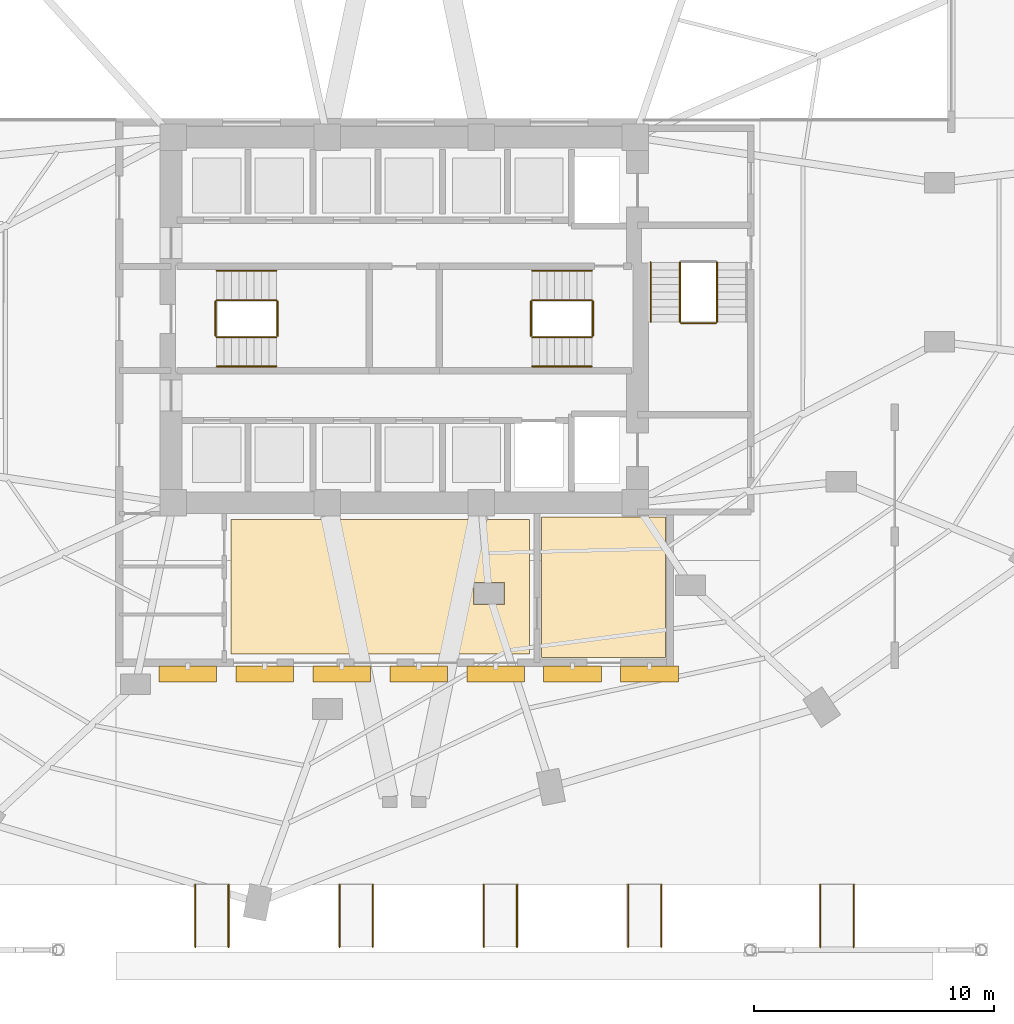
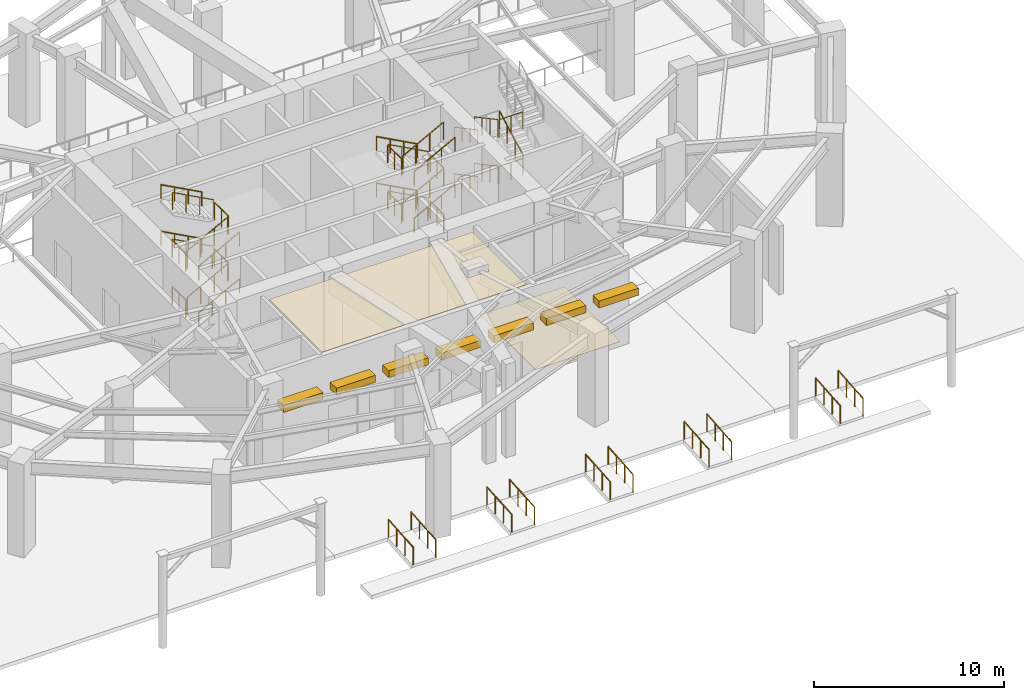
# One storey, part 12 of 14: 41 railings, 7 shading devices, 2 coverings.
"""IFC4 building model written with IfcOpenShell, lengths in metres."""

from ifc_helpers import new_model, si_unit, direction, frame, origin, origin_2d, place, context, subcontext, project, spatial, polyline, rectangle, circle, outline, extrude, material, layer, layer_set, type_object, element, save


model = new_model("IFC4")

# Units and contexts
model_context = context("Model", 3, precision=1e-05, world=origin(), true_north=direction((0.0, 1.0)))
body_context = subcontext(model_context, "Body", "Model", "MODEL_VIEW")
ifc_project = project(units=[si_unit("LENGTHUNIT", "METRE"), si_unit("AREAUNIT", "SQUARE_METRE"), si_unit("VOLUMEUNIT", "CUBIC_METRE"), si_unit("PLANEANGLEUNIT", "RADIAN"), si_unit("MASSUNIT", "GRAM", prefix="KILO")], contexts=[model_context])

# Site, building, storey
site_placement = place(None, origin())
site = spatial("IfcSite", under=ifc_project, at=site_placement, CompositionType="ELEMENT")
building_placement = place(site_placement, origin())
building = spatial("IfcBuilding", under=site, at=building_placement, Name="Lazwardi Medical Tower", CompositionType="ELEMENT")
storey_placement = place(building_placement, origin())
storey = spatial("IfcBuildingStorey", under=building, at=storey_placement, Name="L00", CompositionType="ELEMENT", Elevation=0.0)

# Coverings
ifc_material_1 = material(Name="Acoustic mineral fibre tile")
ifc_layer_1 = layer(ifc_material_1, 0.02490234375)
ifc_layer_set_1 = layer_set([ifc_layer_1], Name="Acoustic mineral fibre tile")
covering_type_1 = type_object("IfcCoveringType", Name="COV-CLG-01", PredefinedType="CEILING", material=ifc_layer_set_1)
covering_1_placement = place(storey_placement, frame((0.0, 0.0, 5.544921875)))
element("IfcCovering", 1, at=covering_1_placement, inside=storey, type_object=covering_type_1, Name="L00 Acoustic Ceiling", PredefinedType="CEILING", context=body_context, shape_type="SweptSolid", body=[
    extrude(outline(polyline([(41.199951171875, 14.10009765625), (41.199951171875, 19.699951171875), (28.800048828125, 19.699951171875), (28.800048828125, 14.10009765625), (41.199951171875, 14.10009765625)]), holes=[polyline([(38.875, 17.074951171875), (40.1650390625, 17.074951171875), (40.1650390625, 16.175048828125), (38.875, 16.175048828125), (38.875, 17.074951171875)])]), origin(), (0.0, 0.0, 1.0), 0.025146484375),
])
ifc_material_2 = material(Name="Anti-static hospital vinyl sheet flooring")
ifc_layer_2 = layer(ifc_material_2, 0.014892578125)
ifc_layer_set_2 = layer_set([ifc_layer_2], Name="Anti-static hospital vinyl sheet flooring")
covering_type_2 = type_object("IfcCoveringType", Name="COV-FLR-01", PredefinedType="FLOORING", material=ifc_layer_set_2)
covering_2_placement = place(storey_placement, origin())
element("IfcCovering", 2, at=covering_2_placement, inside=storey, type_object=covering_type_2, Name="L00 Hospital Vinyl Flooring", PredefinedType="FLOORING", context=body_context, shape_type="SweptSolid", body=[
    extrude(outline(polyline([(46.860107421875, 13.9599609375), (46.860107421875, 19.800048828125), (41.699951171875, 19.800048828125), (41.699951171875, 13.9599609375), (46.860107421875, 13.9599609375)])), origin(), (0.0, 0.0, 1.0), 0.014892578125),
])

# Railings
ifc_material_3 = material(Name="Stainless steel Grade 316", Category="steel")
railing_type_1 = type_object("IfcRailingType", Name="RLG-GRD-1150", PredefinedType="GUARDRAIL", material=ifc_material_3)
for number, where, name in (
    (3, (27.31005859375, 1.919921875, -0.199951171875), "Pedestrian Ramp PR1 Guard 1"),
    (4, (28.68994140625, 1.919921875, -0.199951171875), "Pedestrian Ramp PR1 Guard 2"),
    (5, (33.31005859375, 1.919921875, -0.199951171875), "Pedestrian Ramp PR2 Guard 1"),
    (6, (34.68994140625, 1.919921875, -0.199951171875), "Pedestrian Ramp PR2 Guard 2"),
    (7, (39.31005859375, 1.919921875, -0.199951171875), "Pedestrian Ramp PR3 Guard 1"),
    (8, (40.68994140625, 1.919921875, -0.199951171875), "Pedestrian Ramp PR3 Guard 2"),
    (9, (45.31005859375, 1.919921875, -0.199951171875), "Pedestrian Ramp PR4 Guard 1"),
    (10, (46.68994140625, 1.919921875, -0.199951171875), "Pedestrian Ramp PR4 Guard 2"),
    (11, (53.31005859375, 1.919921875, -0.199951171875), "Pedestrian Ramp PR5 Guard 1"),
    (12, (54.68994140625, 1.919921875, -0.199951171875), "Pedestrian Ramp PR5 Guard 2"),
):
    element("IfcRailing", number, at=place(storey_placement, frame(where)), inside=storey, type_object=railing_type_1, Name=name, PredefinedType="GUARDRAIL", context=body_context, shape_type="SweptSolid", body=[
        extrude(circle(Radius=0.02392578125, at=origin_2d()), frame((0.0, 0.0, 1.1259765625), z_axis=(0.0, 0.997056137393, 0.07667502127), x_axis=(-1.0, 0.0, 0.0)), (0.0, 0.0, 1.0), 2.607666015625),
        extrude(circle(Radius=0.02099609375, at=origin_2d()), origin(), (0.0, 0.0, 1.0), 1.099853515625),
        extrude(circle(Radius=0.02099609375, at=origin_2d()), frame((0.0, 0.86669921875, 0.066650390625)), (0.0, 0.0, 1.0), 1.099853515625),
        extrude(circle(Radius=0.02099609375, at=origin_2d()), frame((0.0, 1.7333984375, 0.13330078125)), (0.0, 0.0, 1.0), 1.099853515625),
        extrude(circle(Radius=0.02099609375, at=origin_2d()), frame((0.0, 2.60009765625, 0.199951171875)), (0.0, 0.0, 1.0), 1.099853515625),
    ])
railing_1_placement = place(storey_placement, frame((28.199951171875, 27.2900390625, 0.166748046875)))
element("IfcRailing", 13, at=railing_1_placement, inside=storey, type_object=railing_type_1, Name="L00 ST1 stair guard 1", PredefinedType="GUARDRAIL", context=body_context, shape_type="SweptSolid", body=[
    extrude(circle(Radius=0.02392578125, at=origin_2d()), frame((0.0, 0.0, 1.1259765625), z_axis=(0.880785522881, 0.0, 0.473515430248), x_axis=(0.0, 1.0, 0.0)), (0.0, 0.0, 1.0), 2.815673828125),
    extrude(circle(Radius=0.02099609375, at=origin_2d()), origin(), (0.0, 0.0, 1.0), 1.099853515625),
    extrude(circle(Radius=0.02099609375, at=origin_2d()), frame((0.82666015625, 0.0, 0.4443359375)), (0.0, 0.0, 1.0), 1.099853515625),
    extrude(circle(Radius=0.02099609375, at=origin_2d()), frame((1.6533203125, 0.0, 0.888916015625)), (0.0, 0.0, 1.0), 1.099853515625),
    extrude(circle(Radius=0.02099609375, at=origin_2d()), frame((2.47998046875, 0.0, 1.333251953125)), (0.0, 0.0, 1.0), 1.099853515625),
])
railing_2_placement = place(storey_placement, frame((30.72998046875, 27.340087890625, 1.5)))
element("IfcRailing", 14, at=railing_2_placement, inside=storey, type_object=railing_type_1, Name="L00 ST1 stair guard 2", PredefinedType="GUARDRAIL", context=body_context, shape_type="SweptSolid", body=[
    extrude(circle(Radius=0.02392578125, at=origin_2d()), frame((0.0, 0.0, 1.1259765625), z_axis=(0.0, 1.0, 0.0), x_axis=(-1.0, 0.0, 0.0)), (0.0, 0.0, 1.0), 1.43994140625),
    extrude(circle(Radius=0.02099609375, at=origin_2d()), origin(), (0.0, 0.0, 1.0), 1.099853515625),
    extrude(circle(Radius=0.02099609375, at=origin_2d()), frame((0.0, 0.719970703125, 0.0)), (0.0, 0.0, 1.0), 1.099853515625),
    extrude(circle(Radius=0.02099609375, at=origin_2d()), frame((0.0, 1.43994140625, 0.0)), (0.0, 0.0, 1.0), 1.099853515625),
])
railing_3_placement = place(storey_placement, frame((30.679931640625, 28.830078125, 1.666748046875)))
element("IfcRailing", 15, at=railing_3_placement, inside=storey, type_object=railing_type_1, Name="L00 ST1 stair guard 3", PredefinedType="GUARDRAIL", context=body_context, shape_type="SweptSolid", body=[
    extrude(circle(Radius=0.02392578125, at=origin_2d()), frame((0.0, 0.0, 1.1259765625), z_axis=(-0.880785522881, 0.0, 0.473515430248), x_axis=(0.0, -1.0, 0.0)), (0.0, 0.0, 1.0), 2.815673828125),
    extrude(circle(Radius=0.02099609375, at=origin_2d()), origin(), (0.0, 0.0, 1.0), 1.099853515625),
    extrude(circle(Radius=0.02099609375, at=origin_2d()), frame((-0.82666015625, 0.0, 0.4443359375)), (0.0, 0.0, 1.0), 1.099853515625),
    extrude(circle(Radius=0.02099609375, at=origin_2d()), frame((-1.6533203125, 0.0, 0.888916015625)), (0.0, 0.0, 1.0), 1.099853515625),
    extrude(circle(Radius=0.02099609375, at=origin_2d()), frame((-2.47998046875, 0.0, 1.333251953125)), (0.0, 0.0, 1.0), 1.099853515625),
])
railing_4_placement = place(storey_placement, frame((28.14990234375, 27.340087890625, 3.0)))
element("IfcRailing", 16, at=railing_4_placement, inside=storey, type_object=railing_type_1, Name="L00 ST1 stair guard 4", PredefinedType="GUARDRAIL", context=body_context, shape_type="SweptSolid", body=[
    extrude(circle(Radius=0.02392578125, at=origin_2d()), frame((0.0, 0.0, 1.1259765625), z_axis=(0.0, 1.0, 0.0), x_axis=(-1.0, 0.0, 0.0)), (0.0, 0.0, 1.0), 1.43994140625),
    extrude(circle(Radius=0.02099609375, at=origin_2d()), origin(), (0.0, 0.0, 1.0), 1.099853515625),
    extrude(circle(Radius=0.02099609375, at=origin_2d()), frame((0.0, 0.719970703125, 0.0)), (0.0, 0.0, 1.0), 1.099853515625),
    extrude(circle(Radius=0.02099609375, at=origin_2d()), frame((0.0, 1.43994140625, 0.0)), (0.0, 0.0, 1.0), 1.099853515625),
])
railing_5_placement = place(storey_placement, frame((28.199951171875, 27.2900390625, 3.166748046875)))
element("IfcRailing", 17, at=railing_5_placement, inside=storey, type_object=railing_type_1, Name="L00 ST1 stair guard 5", PredefinedType="GUARDRAIL", context=body_context, shape_type="SweptSolid", body=[
    extrude(circle(Radius=0.02392578125, at=origin_2d()), frame((0.0, 0.0, 1.1259765625), z_axis=(0.880785522881, 0.0, 0.473515430248), x_axis=(0.0, 1.0, 0.0)), (0.0, 0.0, 1.0), 2.815673828125),
    extrude(circle(Radius=0.02099609375, at=origin_2d()), origin(), (0.0, 0.0, 1.0), 1.099853515625),
    extrude(circle(Radius=0.02099609375, at=origin_2d()), frame((0.82666015625, 0.0, 0.4443359375)), (0.0, 0.0, 1.0), 1.099853515625),
    extrude(circle(Radius=0.02099609375, at=origin_2d()), frame((1.6533203125, 0.0, 0.888916015625)), (0.0, 0.0, 1.0), 1.099853515625),
    extrude(circle(Radius=0.02099609375, at=origin_2d()), frame((2.47998046875, 0.0, 1.333251953125)), (0.0, 0.0, 1.0), 1.099853515625),
])
railing_6_placement = place(storey_placement, frame((30.72998046875, 27.340087890625, 4.5)))
element("IfcRailing", 18, at=railing_6_placement, inside=storey, type_object=railing_type_1, Name="L00 ST1 stair guard 6", PredefinedType="GUARDRAIL", context=body_context, shape_type="SweptSolid", body=[
    extrude(circle(Radius=0.02392578125, at=origin_2d()), frame((0.0, 0.0, 1.1259765625), z_axis=(0.0, 1.0, 0.0), x_axis=(-1.0, 0.0, 0.0)), (0.0, 0.0, 1.0), 1.43994140625),
    extrude(circle(Radius=0.02099609375, at=origin_2d()), origin(), (0.0, 0.0, 1.0), 1.099853515625),
    extrude(circle(Radius=0.02099609375, at=origin_2d()), frame((0.0, 0.719970703125, 0.0)), (0.0, 0.0, 1.0), 1.099853515625),
    extrude(circle(Radius=0.02099609375, at=origin_2d()), frame((0.0, 1.43994140625, 0.0)), (0.0, 0.0, 1.0), 1.099853515625),
])
railing_7_placement = place(storey_placement, frame((30.679931640625, 28.830078125, 4.666748046875)))
element("IfcRailing", 19, at=railing_7_placement, inside=storey, type_object=railing_type_1, Name="L00 ST1 stair guard 7", PredefinedType="GUARDRAIL", context=body_context, shape_type="SweptSolid", body=[
    extrude(circle(Radius=0.02392578125, at=origin_2d()), frame((0.0, 0.0, 1.1259765625), z_axis=(-0.880785522881, 0.0, 0.473515430248), x_axis=(0.0, -1.0, 0.0)), (0.0, 0.0, 1.0), 2.815673828125),
    extrude(circle(Radius=0.02099609375, at=origin_2d()), origin(), (0.0, 0.0, 1.0), 1.099853515625),
    extrude(circle(Radius=0.02099609375, at=origin_2d()), frame((-0.82666015625, 0.0, 0.4443359375)), (0.0, 0.0, 1.0), 1.099853515625),
    extrude(circle(Radius=0.02099609375, at=origin_2d()), frame((-1.6533203125, 0.0, 0.888916015625)), (0.0, 0.0, 1.0), 1.099853515625),
    extrude(circle(Radius=0.02099609375, at=origin_2d()), frame((-2.47998046875, 0.0, 1.333251953125)), (0.0, 0.0, 1.0), 1.099853515625),
])
railing_8_placement = place(storey_placement, frame((28.14990234375, 27.340087890625, 0.0)))
element("IfcRailing", 20, at=railing_8_placement, inside=storey, type_object=railing_type_1, Name="L00 ST1 stair guard 8", PredefinedType="GUARDRAIL", context=body_context, shape_type="SweptSolid", body=[
    extrude(circle(Radius=0.02392578125, at=origin_2d()), frame((0.0, 0.0, 1.1259765625), z_axis=(0.0, 1.0, 0.0), x_axis=(-1.0, 0.0, 0.0)), (0.0, 0.0, 1.0), 1.43994140625),
    extrude(circle(Radius=0.02099609375, at=origin_2d()), origin(), (0.0, 0.0, 1.0), 1.099853515625),
    extrude(circle(Radius=0.02099609375, at=origin_2d()), frame((0.0, 0.719970703125, 0.0)), (0.0, 0.0, 1.0), 1.099853515625),
    extrude(circle(Radius=0.02099609375, at=origin_2d()), frame((0.0, 1.43994140625, 0.0)), (0.0, 0.0, 1.0), 1.099853515625),
])
railing_9_placement = place(storey_placement, frame((43.800048828125, 28.830078125, 0.166748046875)))
element("IfcRailing", 21, at=railing_9_placement, inside=storey, type_object=railing_type_1, Name="L00 ST2 stair guard 1", PredefinedType="GUARDRAIL", context=body_context, shape_type="SweptSolid", body=[
    extrude(circle(Radius=0.02392578125, at=origin_2d()), frame((0.0, 0.0, 1.1259765625), z_axis=(-0.880785522881, 0.0, 0.473515430248), x_axis=(0.0, -1.0, 0.0)), (0.0, 0.0, 1.0), 2.815673828125),
    extrude(circle(Radius=0.02099609375, at=origin_2d()), origin(), (0.0, 0.0, 1.0), 1.099853515625),
    extrude(circle(Radius=0.02099609375, at=origin_2d()), frame((-0.82666015625, 0.0, 0.4443359375)), (0.0, 0.0, 1.0), 1.099853515625),
    extrude(circle(Radius=0.02099609375, at=origin_2d()), frame((-1.6533203125, 0.0, 0.888916015625)), (0.0, 0.0, 1.0), 1.099853515625),
    extrude(circle(Radius=0.02099609375, at=origin_2d()), frame((-2.47998046875, 0.0, 1.333251953125)), (0.0, 0.0, 1.0), 1.099853515625),
])
railing_10_placement = place(storey_placement, frame((41.27001953125, 28.780029296875, 1.5)))
element("IfcRailing", 22, at=railing_10_placement, inside=storey, type_object=railing_type_1, Name="L00 ST2 stair guard 2", PredefinedType="GUARDRAIL", context=body_context, shape_type="SweptSolid", body=[
    extrude(circle(Radius=0.02392578125, at=origin_2d()), frame((0.0, 0.0, 1.1259765625), z_axis=(0.0, -1.0, 0.0), x_axis=(1.0, 0.0, 0.0)), (0.0, 0.0, 1.0), 1.43994140625),
    extrude(circle(Radius=0.02099609375, at=origin_2d()), origin(), (0.0, 0.0, 1.0), 1.099853515625),
    extrude(circle(Radius=0.02099609375, at=origin_2d()), frame((0.0, -0.719970703125, 0.0)), (0.0, 0.0, 1.0), 1.099853515625),
    extrude(circle(Radius=0.02099609375, at=origin_2d()), frame((0.0, -1.43994140625, 0.0)), (0.0, 0.0, 1.0), 1.099853515625),
])
railing_11_placement = place(storey_placement, frame((41.320068359375, 27.2900390625, 1.666748046875)))
element("IfcRailing", 23, at=railing_11_placement, inside=storey, type_object=railing_type_1, Name="L00 ST2 stair guard 3", PredefinedType="GUARDRAIL", context=body_context, shape_type="SweptSolid", body=[
    extrude(circle(Radius=0.02392578125, at=origin_2d()), frame((0.0, 0.0, 1.1259765625), z_axis=(0.880785522881, 0.0, 0.473515430248), x_axis=(0.0, 1.0, 0.0)), (0.0, 0.0, 1.0), 2.815673828125),
    extrude(circle(Radius=0.02099609375, at=origin_2d()), origin(), (0.0, 0.0, 1.0), 1.099853515625),
    extrude(circle(Radius=0.02099609375, at=origin_2d()), frame((0.82666015625, 0.0, 0.4443359375)), (0.0, 0.0, 1.0), 1.099853515625),
    extrude(circle(Radius=0.02099609375, at=origin_2d()), frame((1.6533203125, 0.0, 0.888916015625)), (0.0, 0.0, 1.0), 1.099853515625),
    extrude(circle(Radius=0.02099609375, at=origin_2d()), frame((2.47998046875, 0.0, 1.333251953125)), (0.0, 0.0, 1.0), 1.099853515625),
])
railing_12_placement = place(storey_placement, frame((43.85009765625, 28.780029296875, 3.0)))
element("IfcRailing", 24, at=railing_12_placement, inside=storey, type_object=railing_type_1, Name="L00 ST2 stair guard 4", PredefinedType="GUARDRAIL", context=body_context, shape_type="SweptSolid", body=[
    extrude(circle(Radius=0.02392578125, at=origin_2d()), frame((0.0, 0.0, 1.1259765625), z_axis=(0.0, -1.0, 0.0), x_axis=(1.0, 0.0, 0.0)), (0.0, 0.0, 1.0), 1.43994140625),
    extrude(circle(Radius=0.02099609375, at=origin_2d()), origin(), (0.0, 0.0, 1.0), 1.099853515625),
    extrude(circle(Radius=0.02099609375, at=origin_2d()), frame((0.0, -0.719970703125, 0.0)), (0.0, 0.0, 1.0), 1.099853515625),
    extrude(circle(Radius=0.02099609375, at=origin_2d()), frame((0.0, -1.43994140625, 0.0)), (0.0, 0.0, 1.0), 1.099853515625),
])
railing_13_placement = place(storey_placement, frame((43.800048828125, 28.830078125, 3.166748046875)))
element("IfcRailing", 25, at=railing_13_placement, inside=storey, type_object=railing_type_1, Name="L00 ST2 stair guard 5", PredefinedType="GUARDRAIL", context=body_context, shape_type="SweptSolid", body=[
    extrude(circle(Radius=0.02392578125, at=origin_2d()), frame((0.0, 0.0, 1.1259765625), z_axis=(-0.880785522881, 0.0, 0.473515430248), x_axis=(0.0, -1.0, 0.0)), (0.0, 0.0, 1.0), 2.815673828125),
    extrude(circle(Radius=0.02099609375, at=origin_2d()), origin(), (0.0, 0.0, 1.0), 1.099853515625),
    extrude(circle(Radius=0.02099609375, at=origin_2d()), frame((-0.82666015625, 0.0, 0.4443359375)), (0.0, 0.0, 1.0), 1.099853515625),
    extrude(circle(Radius=0.02099609375, at=origin_2d()), frame((-1.6533203125, 0.0, 0.888916015625)), (0.0, 0.0, 1.0), 1.099853515625),
    extrude(circle(Radius=0.02099609375, at=origin_2d()), frame((-2.47998046875, 0.0, 1.333251953125)), (0.0, 0.0, 1.0), 1.099853515625),
])
railing_14_placement = place(storey_placement, frame((41.27001953125, 28.780029296875, 4.5)))
element("IfcRailing", 26, at=railing_14_placement, inside=storey, type_object=railing_type_1, Name="L00 ST2 stair guard 6", PredefinedType="GUARDRAIL", context=body_context, shape_type="SweptSolid", body=[
    extrude(circle(Radius=0.02392578125, at=origin_2d()), frame((0.0, 0.0, 1.1259765625), z_axis=(0.0, -1.0, 0.0), x_axis=(1.0, 0.0, 0.0)), (0.0, 0.0, 1.0), 1.43994140625),
    extrude(circle(Radius=0.02099609375, at=origin_2d()), origin(), (0.0, 0.0, 1.0), 1.099853515625),
    extrude(circle(Radius=0.02099609375, at=origin_2d()), frame((0.0, -0.719970703125, 0.0)), (0.0, 0.0, 1.0), 1.099853515625),
    extrude(circle(Radius=0.02099609375, at=origin_2d()), frame((0.0, -1.43994140625, 0.0)), (0.0, 0.0, 1.0), 1.099853515625),
])
railing_15_placement = place(storey_placement, frame((41.320068359375, 27.2900390625, 4.666748046875)))
element("IfcRailing", 27, at=railing_15_placement, inside=storey, type_object=railing_type_1, Name="L00 ST2 stair guard 7", PredefinedType="GUARDRAIL", context=body_context, shape_type="SweptSolid", body=[
    extrude(circle(Radius=0.02392578125, at=origin_2d()), frame((0.0, 0.0, 1.1259765625), z_axis=(0.880785522881, 0.0, 0.473515430248), x_axis=(0.0, 1.0, 0.0)), (0.0, 0.0, 1.0), 2.815673828125),
    extrude(circle(Radius=0.02099609375, at=origin_2d()), origin(), (0.0, 0.0, 1.0), 1.099853515625),
    extrude(circle(Radius=0.02099609375, at=origin_2d()), frame((0.82666015625, 0.0, 0.4443359375)), (0.0, 0.0, 1.0), 1.099853515625),
    extrude(circle(Radius=0.02099609375, at=origin_2d()), frame((1.6533203125, 0.0, 0.888916015625)), (0.0, 0.0, 1.0), 1.099853515625),
    extrude(circle(Radius=0.02099609375, at=origin_2d()), frame((2.47998046875, 0.0, 1.333251953125)), (0.0, 0.0, 1.0), 1.099853515625),
])
railing_16_placement = place(storey_placement, frame((43.85009765625, 28.780029296875, 0.0)))
element("IfcRailing", 28, at=railing_16_placement, inside=storey, type_object=railing_type_1, Name="L00 ST2 stair guard 8", PredefinedType="GUARDRAIL", context=body_context, shape_type="SweptSolid", body=[
    extrude(circle(Radius=0.02392578125, at=origin_2d()), frame((0.0, 0.0, 1.1259765625), z_axis=(0.0, -1.0, 0.0), x_axis=(1.0, 0.0, 0.0)), (0.0, 0.0, 1.0), 1.43994140625),
    extrude(circle(Radius=0.02099609375, at=origin_2d()), origin(), (0.0, 0.0, 1.0), 1.099853515625),
    extrude(circle(Radius=0.02099609375, at=origin_2d()), frame((0.0, -0.719970703125, 0.0)), (0.0, 0.0, 1.0), 1.099853515625),
    extrude(circle(Radius=0.02099609375, at=origin_2d()), frame((0.0, -1.43994140625, 0.0)), (0.0, 0.0, 1.0), 1.099853515625),
])
railing_17_placement = place(storey_placement, frame((47.469970703125, 30.39990234375, 0.166748046875)))
element("IfcRailing", 29, at=railing_17_placement, inside=storey, type_object=railing_type_1, Name="L00 ST3 stair guard 1", PredefinedType="GUARDRAIL", context=body_context, shape_type="SweptSolid", body=[
    extrude(circle(Radius=0.02392578125, at=origin_2d()), frame((0.0, 0.0, 1.1259765625), z_axis=(0.0, -0.880785522881, 0.473515430248), x_axis=(1.0, 0.0, 0.0)), (0.0, 0.0, 1.0), 2.815673828125),
    extrude(circle(Radius=0.02099609375, at=origin_2d()), origin(), (0.0, 0.0, 1.0), 1.099853515625),
    extrude(circle(Radius=0.02099609375, at=origin_2d()), frame((0.0, -0.82666015625, 0.4443359375)), (0.0, 0.0, 1.0), 1.099853515625),
    extrude(circle(Radius=0.02099609375, at=origin_2d()), frame((0.0, -1.6533203125, 0.888916015625)), (0.0, 0.0, 1.0), 1.099853515625),
    extrude(circle(Radius=0.02099609375, at=origin_2d()), frame((0.0, -2.47998046875, 1.333251953125)), (0.0, 0.0, 1.0), 1.099853515625),
])
railing_18_placement = place(storey_placement, frame((47.52001953125, 27.8701171875, 1.5)))
element("IfcRailing", 30, at=railing_18_placement, inside=storey, type_object=railing_type_1, Name="L00 ST3 stair guard 2", PredefinedType="GUARDRAIL", context=body_context, shape_type="SweptSolid", body=[
    extrude(circle(Radius=0.02392578125, at=origin_2d()), frame((0.0, 0.0, 1.1259765625), z_axis=(1.0, 0.0, 0.0), x_axis=(0.0, 1.0, 0.0)), (0.0, 0.0, 1.0), 1.43994140625),
    extrude(circle(Radius=0.02099609375, at=origin_2d()), origin(), (0.0, 0.0, 1.0), 1.099853515625),
    extrude(circle(Radius=0.02099609375, at=origin_2d()), frame((0.719970703125, 0.0, 0.0)), (0.0, 0.0, 1.0), 1.099853515625),
    extrude(circle(Radius=0.02099609375, at=origin_2d()), frame((1.43994140625, 0.0, 0.0)), (0.0, 0.0, 1.0), 1.099853515625),
])
railing_19_placement = place(storey_placement, frame((49.010009765625, 27.919921875, 1.666748046875)))
element("IfcRailing", 31, at=railing_19_placement, inside=storey, type_object=railing_type_1, Name="L00 ST3 stair guard 3", PredefinedType="GUARDRAIL", context=body_context, shape_type="SweptSolid", body=[
    extrude(circle(Radius=0.02392578125, at=origin_2d()), frame((0.0, 0.0, 1.1259765625), z_axis=(0.0, 0.880785522881, 0.473515430248), x_axis=(-1.0, 0.0, 0.0)), (0.0, 0.0, 1.0), 2.815673828125),
    extrude(circle(Radius=0.02099609375, at=origin_2d()), origin(), (0.0, 0.0, 1.0), 1.099853515625),
    extrude(circle(Radius=0.02099609375, at=origin_2d()), frame((0.0, 0.82666015625, 0.4443359375)), (0.0, 0.0, 1.0), 1.099853515625),
    extrude(circle(Radius=0.02099609375, at=origin_2d()), frame((0.0, 1.6533203125, 0.888916015625)), (0.0, 0.0, 1.0), 1.099853515625),
    extrude(circle(Radius=0.02099609375, at=origin_2d()), frame((0.0, 2.47998046875, 1.333251953125)), (0.0, 0.0, 1.0), 1.099853515625),
])
railing_20_placement = place(storey_placement, frame((47.469970703125, 30.39990234375, 3.166748046875)))
element("IfcRailing", 32, at=railing_20_placement, inside=storey, type_object=railing_type_1, Name="L00 ST3 stair guard 5", PredefinedType="GUARDRAIL", context=body_context, shape_type="SweptSolid", body=[
    extrude(circle(Radius=0.02392578125, at=origin_2d()), frame((0.0, 0.0, 1.1259765625), z_axis=(0.0, -0.880785522881, 0.473515430248), x_axis=(1.0, 0.0, 0.0)), (0.0, 0.0, 1.0), 2.815673828125),
    extrude(circle(Radius=0.02099609375, at=origin_2d()), origin(), (0.0, 0.0, 1.0), 1.099853515625),
    extrude(circle(Radius=0.02099609375, at=origin_2d()), frame((0.0, -0.82666015625, 0.4443359375)), (0.0, 0.0, 1.0), 1.099853515625),
    extrude(circle(Radius=0.02099609375, at=origin_2d()), frame((0.0, -1.6533203125, 0.888916015625)), (0.0, 0.0, 1.0), 1.099853515625),
    extrude(circle(Radius=0.02099609375, at=origin_2d()), frame((0.0, -2.47998046875, 1.333251953125)), (0.0, 0.0, 1.0), 1.099853515625),
])
railing_21_placement = place(storey_placement, frame((47.52001953125, 27.8701171875, 4.5)))
element("IfcRailing", 33, at=railing_21_placement, inside=storey, type_object=railing_type_1, Name="L00 ST3 stair guard 6", PredefinedType="GUARDRAIL", context=body_context, shape_type="SweptSolid", body=[
    extrude(circle(Radius=0.02392578125, at=origin_2d()), frame((0.0, 0.0, 1.1259765625), z_axis=(1.0, 0.0, 0.0), x_axis=(0.0, 1.0, 0.0)), (0.0, 0.0, 1.0), 1.43994140625),
    extrude(circle(Radius=0.02099609375, at=origin_2d()), origin(), (0.0, 0.0, 1.0), 1.099853515625),
    extrude(circle(Radius=0.02099609375, at=origin_2d()), frame((0.719970703125, 0.0, 0.0)), (0.0, 0.0, 1.0), 1.099853515625),
    extrude(circle(Radius=0.02099609375, at=origin_2d()), frame((1.43994140625, 0.0, 0.0)), (0.0, 0.0, 1.0), 1.099853515625),
])
railing_type_2 = type_object("IfcRailingType", Name="RLG-HND-920", PredefinedType="HANDRAIL", material=ifc_material_3)
railing_22_placement = place(storey_placement, frame((28.199951171875, 26.070068359375, 0.166748046875)))
element("IfcRailing", 34, at=railing_22_placement, inside=storey, type_object=railing_type_2, Name="L00 ST1 stair handrail 1", PredefinedType="HANDRAIL", context=body_context, shape_type="SweptSolid", body=[
    extrude(circle(Radius=0.02392578125, at=origin_2d()), frame((0.0, 0.0, 0.8857421875), z_axis=(0.880785522881, 0.0, 0.473515430248), x_axis=(0.0, 1.0, 0.0)), (0.0, 0.0, 1.0), 2.815673828125),
    extrude(circle(Radius=0.02099609375, at=origin_2d()), origin(), (0.0, 0.0, 1.0), 0.85986328125),
    extrude(circle(Radius=0.02099609375, at=origin_2d()), frame((0.82666015625, 0.0, 0.4443359375)), (0.0, 0.0, 1.0), 0.85986328125),
    extrude(circle(Radius=0.02099609375, at=origin_2d()), frame((1.6533203125, 0.0, 0.888916015625)), (0.0, 0.0, 1.0), 0.85986328125),
    extrude(circle(Radius=0.02099609375, at=origin_2d()), frame((2.47998046875, 0.0, 1.333251953125)), (0.0, 0.0, 1.0), 0.85986328125),
])
railing_23_placement = place(storey_placement, frame((30.679931640625, 30.050048828125, 1.666748046875)))
element("IfcRailing", 35, at=railing_23_placement, inside=storey, type_object=railing_type_2, Name="L00 ST1 stair handrail 2", PredefinedType="HANDRAIL", context=body_context, shape_type="SweptSolid", body=[
    extrude(circle(Radius=0.02392578125, at=origin_2d()), frame((0.0, 0.0, 0.8857421875), z_axis=(-0.880785522881, 0.0, 0.473515430248), x_axis=(0.0, -1.0, 0.0)), (0.0, 0.0, 1.0), 2.815673828125),
    extrude(circle(Radius=0.02099609375, at=origin_2d()), origin(), (0.0, 0.0, 1.0), 0.85986328125),
    extrude(circle(Radius=0.02099609375, at=origin_2d()), frame((-0.82666015625, 0.0, 0.4443359375)), (0.0, 0.0, 1.0), 0.85986328125),
    extrude(circle(Radius=0.02099609375, at=origin_2d()), frame((-1.6533203125, 0.0, 0.888916015625)), (0.0, 0.0, 1.0), 0.85986328125),
    extrude(circle(Radius=0.02099609375, at=origin_2d()), frame((-2.47998046875, 0.0, 1.333251953125)), (0.0, 0.0, 1.0), 0.85986328125),
])
railing_24_placement = place(storey_placement, frame((28.199951171875, 26.070068359375, 3.166748046875)))
element("IfcRailing", 36, at=railing_24_placement, inside=storey, type_object=railing_type_2, Name="L00 ST1 stair handrail 3", PredefinedType="HANDRAIL", context=body_context, shape_type="SweptSolid", body=[
    extrude(circle(Radius=0.02392578125, at=origin_2d()), frame((0.0, 0.0, 0.8857421875), z_axis=(0.880785522881, 0.0, 0.473515430248), x_axis=(0.0, 1.0, 0.0)), (0.0, 0.0, 1.0), 2.815673828125),
    extrude(circle(Radius=0.02099609375, at=origin_2d()), origin(), (0.0, 0.0, 1.0), 0.85986328125),
    extrude(circle(Radius=0.02099609375, at=origin_2d()), frame((0.82666015625, 0.0, 0.4443359375)), (0.0, 0.0, 1.0), 0.85986328125),
    extrude(circle(Radius=0.02099609375, at=origin_2d()), frame((1.6533203125, 0.0, 0.888916015625)), (0.0, 0.0, 1.0), 0.85986328125),
    extrude(circle(Radius=0.02099609375, at=origin_2d()), frame((2.47998046875, 0.0, 1.333251953125)), (0.0, 0.0, 1.0), 0.85986328125),
])
for number, where, name in (
    (37, (30.679931640625, 30.050048828125, 4.666748046875), "L00 ST1 stair handrail 4"),
    (38, (43.800048828125, 30.050048828125, 0.166748046875), "L00 ST2 stair handrail 1"),
):
    element("IfcRailing", number, at=place(storey_placement, frame(where)), inside=storey, type_object=railing_type_2, Name=name, PredefinedType="HANDRAIL", context=body_context, shape_type="SweptSolid", body=[
        extrude(circle(Radius=0.02392578125, at=origin_2d()), frame((0.0, 0.0, 0.8857421875), z_axis=(-0.880785522881, 0.0, 0.473515430248), x_axis=(0.0, -1.0, 0.0)), (0.0, 0.0, 1.0), 2.815673828125),
        extrude(circle(Radius=0.02099609375, at=origin_2d()), origin(), (0.0, 0.0, 1.0), 0.85986328125),
        extrude(circle(Radius=0.02099609375, at=origin_2d()), frame((-0.82666015625, 0.0, 0.4443359375)), (0.0, 0.0, 1.0), 0.85986328125),
        extrude(circle(Radius=0.02099609375, at=origin_2d()), frame((-1.6533203125, 0.0, 0.888916015625)), (0.0, 0.0, 1.0), 0.85986328125),
        extrude(circle(Radius=0.02099609375, at=origin_2d()), frame((-2.47998046875, 0.0, 1.333251953125)), (0.0, 0.0, 1.0), 0.85986328125),
    ])
railing_25_placement = place(storey_placement, frame((41.320068359375, 26.070068359375, 1.666748046875)))
element("IfcRailing", 39, at=railing_25_placement, inside=storey, type_object=railing_type_2, Name="L00 ST2 stair handrail 2", PredefinedType="HANDRAIL", context=body_context, shape_type="SweptSolid", body=[
    extrude(circle(Radius=0.02392578125, at=origin_2d()), frame((0.0, 0.0, 0.8857421875), z_axis=(0.880785522881, 0.0, 0.473515430248), x_axis=(0.0, 1.0, 0.0)), (0.0, 0.0, 1.0), 2.815673828125),
    extrude(circle(Radius=0.02099609375, at=origin_2d()), origin(), (0.0, 0.0, 1.0), 0.85986328125),
    extrude(circle(Radius=0.02099609375, at=origin_2d()), frame((0.82666015625, 0.0, 0.4443359375)), (0.0, 0.0, 1.0), 0.85986328125),
    extrude(circle(Radius=0.02099609375, at=origin_2d()), frame((1.6533203125, 0.0, 0.888916015625)), (0.0, 0.0, 1.0), 0.85986328125),
    extrude(circle(Radius=0.02099609375, at=origin_2d()), frame((2.47998046875, 0.0, 1.333251953125)), (0.0, 0.0, 1.0), 0.85986328125),
])
railing_26_placement = place(storey_placement, frame((43.800048828125, 30.050048828125, 3.166748046875)))
element("IfcRailing", 40, at=railing_26_placement, inside=storey, type_object=railing_type_2, Name="L00 ST2 stair handrail 3", PredefinedType="HANDRAIL", context=body_context, shape_type="SweptSolid", body=[
    extrude(circle(Radius=0.02392578125, at=origin_2d()), frame((0.0, 0.0, 0.8857421875), z_axis=(-0.880785522881, 0.0, 0.473515430248), x_axis=(0.0, -1.0, 0.0)), (0.0, 0.0, 1.0), 2.815673828125),
    extrude(circle(Radius=0.02099609375, at=origin_2d()), origin(), (0.0, 0.0, 1.0), 0.85986328125),
    extrude(circle(Radius=0.02099609375, at=origin_2d()), frame((-0.82666015625, 0.0, 0.4443359375)), (0.0, 0.0, 1.0), 0.85986328125),
    extrude(circle(Radius=0.02099609375, at=origin_2d()), frame((-1.6533203125, 0.0, 0.888916015625)), (0.0, 0.0, 1.0), 0.85986328125),
    extrude(circle(Radius=0.02099609375, at=origin_2d()), frame((-2.47998046875, 0.0, 1.333251953125)), (0.0, 0.0, 1.0), 0.85986328125),
])
railing_27_placement = place(storey_placement, frame((41.320068359375, 26.070068359375, 4.666748046875)))
element("IfcRailing", 41, at=railing_27_placement, inside=storey, type_object=railing_type_2, Name="L00 ST2 stair handrail 4", PredefinedType="HANDRAIL", context=body_context, shape_type="SweptSolid", body=[
    extrude(circle(Radius=0.02392578125, at=origin_2d()), frame((0.0, 0.0, 0.8857421875), z_axis=(0.880785522881, 0.0, 0.473515430248), x_axis=(0.0, 1.0, 0.0)), (0.0, 0.0, 1.0), 2.815673828125),
    extrude(circle(Radius=0.02099609375, at=origin_2d()), origin(), (0.0, 0.0, 1.0), 0.85986328125),
    extrude(circle(Radius=0.02099609375, at=origin_2d()), frame((0.82666015625, 0.0, 0.4443359375)), (0.0, 0.0, 1.0), 0.85986328125),
    extrude(circle(Radius=0.02099609375, at=origin_2d()), frame((1.6533203125, 0.0, 0.888916015625)), (0.0, 0.0, 1.0), 0.85986328125),
    extrude(circle(Radius=0.02099609375, at=origin_2d()), frame((2.47998046875, 0.0, 1.333251953125)), (0.0, 0.0, 1.0), 0.85986328125),
])
for number, where, name in (
    (42, (46.25, 30.39990234375, 0.166748046875), "L00 ST3 stair handrail 1"),
    (43, (46.25, 30.39990234375, 3.166748046875), "L00 ST3 stair handrail 3"),
):
    element("IfcRailing", number, at=place(storey_placement, frame(where)), inside=storey, type_object=railing_type_2, Name=name, PredefinedType="HANDRAIL", context=body_context, shape_type="SweptSolid", body=[
        extrude(circle(Radius=0.02392578125, at=origin_2d()), frame((0.0, 0.0, 0.8857421875), z_axis=(0.0, -0.880785522881, 0.473515430248), x_axis=(1.0, 0.0, 0.0)), (0.0, 0.0, 1.0), 2.815673828125),
        extrude(circle(Radius=0.02099609375, at=origin_2d()), origin(), (0.0, 0.0, 1.0), 0.85986328125),
        extrude(circle(Radius=0.02099609375, at=origin_2d()), frame((0.0, -0.82666015625, 0.4443359375)), (0.0, 0.0, 1.0), 0.85986328125),
        extrude(circle(Radius=0.02099609375, at=origin_2d()), frame((0.0, -1.6533203125, 0.888916015625)), (0.0, 0.0, 1.0), 0.85986328125),
        extrude(circle(Radius=0.02099609375, at=origin_2d()), frame((0.0, -2.47998046875, 1.333251953125)), (0.0, 0.0, 1.0), 0.85986328125),
    ])

# Shading devices
ifc_material_4 = material(Name="Anodised bronze aluminium sunshade", Category="aluminium")
shading_device_type = type_object("IfcShadingDeviceType", Name="SHD-SUN-01", PredefinedType="USERDEFINED", material=ifc_material_4)
for number, where, z_axis, x_axis, name in (
    (44, (27.0, 13.280029296875, 3.4248046875), (0.0, 0.0, 1.0), (1.0, 0.0, 0.0), "L00 Entrance Sunshade 1"),
    (45, (30.199951171875, 13.280029296875, 3.4248046875), (0.0, 0.0, 1.0), (1.0, 0.0, 0.0), "L00 Entrance Sunshade 2"),
    (46, (33.39990234375, 13.280029296875, 3.4248046875), (0.0, 0.0, 1.0), (1.0, 0.0, 0.0), "L00 Entrance Sunshade 3"),
    (47, (36.60009765625, 13.280029296875, 3.4248046875), (0.0, 0.0, 1.0), (1.0, 0.0, 0.0), "L00 Entrance Sunshade 4"),
    (48, (39.800048828125, 13.280029296875, 3.4248046875), (0.0, 0.0, 1.0), (1.0, 0.0, 0.0), "L00 Entrance Sunshade 5"),
    (49, (43.0, 13.280029296875, 3.4248046875), (0.0, 0.0, 1.0), (1.0, 0.0, 0.0), "L00 Entrance Sunshade 6"),
    (50, (46.199951171875, 13.280029296875, 3.4248046875), (0.0, 0.0, 1.0), (1.0, 0.0, 0.0), "L00 Entrance Sunshade 7"),
):
    element("IfcShadingDevice", number, at=place(storey_placement, frame(where, z_axis=z_axis, x_axis=x_axis)), inside=storey, type_object=shading_device_type, Name=name, ObjectType="SUNSHADE", PredefinedType="USERDEFINED", context=body_context, shape_type="SweptSolid", body=[
        extrude(rectangle(XDim=2.39990234375, YDim=0.64990234375, at=origin_2d()), origin(), (0.0, 0.0, 1.0), 0.449951171875),
    ])

save(model, "model.ifc")
